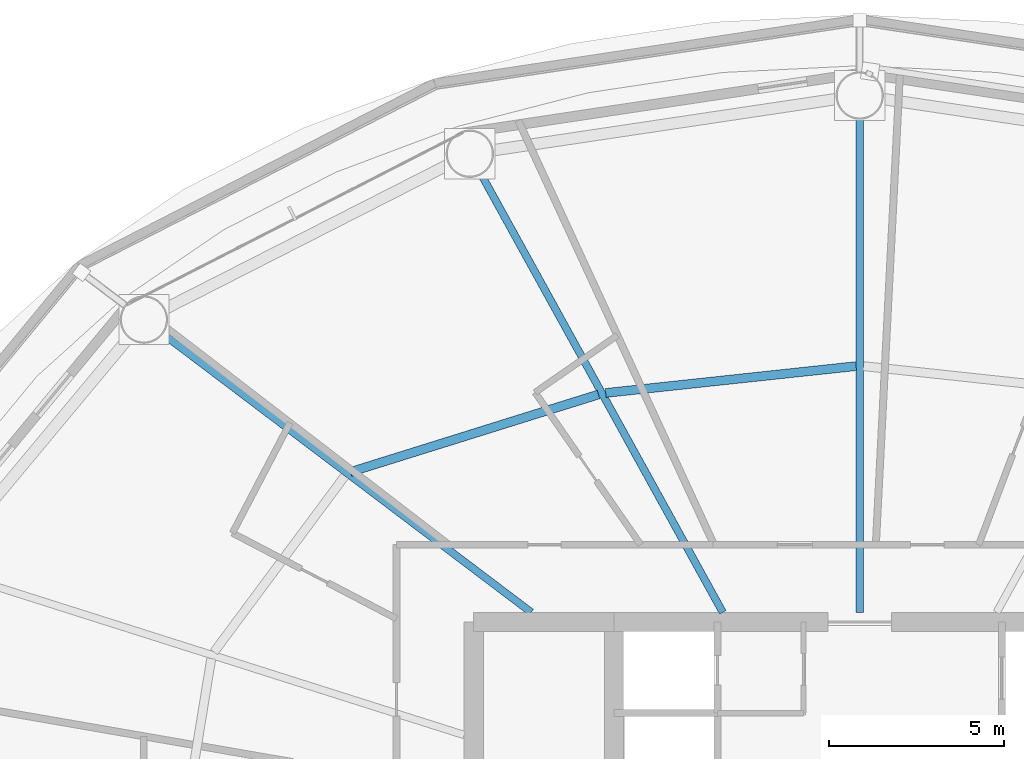
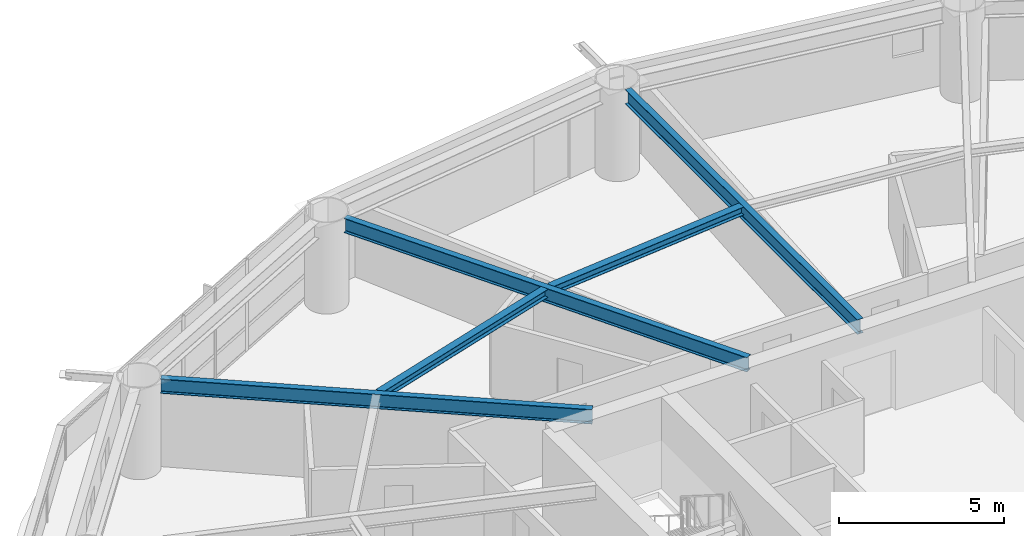
# One storey, part 9 of 25: 5 beams.
"""IFC4 building model written with IfcOpenShell, lengths in metres."""

from ifc_helpers import new_model, si_unit, direction, frame, origin, origin_2d, place, context, subcontext, project, spatial, i_section, extrude, material, material_profile, profile_set, type_object, element, save


model = new_model("IFC4")

# Units and contexts
model_context = context("Model", 3, precision=1e-05, world=origin(), true_north=direction((0.0, 1.0)))
body_context = subcontext(model_context, "Body", "Model", "MODEL_VIEW")
ifc_project = project(units=[si_unit("LENGTHUNIT", "METRE"), si_unit("AREAUNIT", "SQUARE_METRE"), si_unit("VOLUMEUNIT", "CUBIC_METRE"), si_unit("PLANEANGLEUNIT", "RADIAN"), si_unit("MASSUNIT", "GRAM", prefix="KILO")], contexts=[model_context])

# Site, building, storey
site_placement = place(None, origin())
site = spatial("IfcSite", under=ifc_project, at=site_placement, CompositionType="ELEMENT")
building_placement = place(site_placement, origin())
building = spatial("IfcBuilding", under=site, at=building_placement, Name="Sarneth Arch Tower", CompositionType="ELEMENT")
storey_placement = place(building_placement, frame((0.0, 0.0, 84.0)))
storey = spatial("IfcBuildingStorey", under=building, at=storey_placement, Name="L20", CompositionType="ELEMENT", Elevation=84.0)

# Beams
ifc_material_1 = material(Name="Steel S355", Category="steel")
ifc_material_profile_1 = material_profile(ifc_material_1, i_section(OverallWidth=0.25390625, OverallDepth=0.305908203125, WebThickness=0.0087890625, FlangeThickness=0.0146484375, FilletRadius=0.014892578125, at=origin_2d()), Name="W310x79")
ifc_profile_set_1 = profile_set([ifc_material_profile_1], Name="Steel S355")
beam_type_1 = type_object("IfcBeamType", Name="BM-JOIST-310A", PredefinedType="JOIST", material=ifc_profile_set_1)
beam_1_placement = place(storey_placement, frame((47.89501953125, 56.0888671875, 3.22705078125), z_axis=(-0.99429330851, -0.106680910441, 0.0), x_axis=(0.106680910441, -0.99429330851, 0.0)))
element("IfcBeam", 1, at=beam_1_placement, inside=storey, type_object=beam_type_1, Name="L20 Secondary floor joist 05", PredefinedType="JOIST", context=body_context, shape_type="SweptSolid", body=[
    extrude(i_section(OverallWidth=0.25390625, OverallDepth=0.305908203125, WebThickness=0.0087890625, FlangeThickness=0.0146484375, FilletRadius=0.014892578125, at=origin_2d()), origin(), (0.0, 0.0, 1.0), 7.174560546875),
])
beam_2_placement = place(storey_placement, frame((40.5556640625, 55.28076171875, 3.22705078125), z_axis=(-0.9544870201, -0.298252457594, 0.0), x_axis=(0.298252457594, -0.9544870201, 0.0)))
element("IfcBeam", 2, at=beam_2_placement, inside=storey, type_object=beam_type_1, Name="L20 Secondary floor joist 06", PredefinedType="JOIST", context=body_context, shape_type="SweptSolid", body=[
    extrude(i_section(OverallWidth=0.25390625, OverallDepth=0.305908203125, WebThickness=0.0087890625, FlangeThickness=0.0146484375, FilletRadius=0.014892578125, at=origin_2d()), origin(), (0.0, 0.0, 1.0), 7.40234375),
])
ifc_material_2 = material(Name="Steel S355", Category="steel")
ifc_material_profile_2 = material_profile(ifc_material_2, i_section(OverallWidth=0.2109375, OverallDepth=0.5390625, WebThickness=0.01171875, FlangeThickness=0.018798828125, FilletRadius=0.01806640625, at=origin_2d()), Name="W530x109")
ifc_profile_set_2 = profile_set([ifc_material_profile_2], Name="Steel S355")
beam_type_2 = type_object("IfcBeamType", Name="BM-RAD-530B", PredefinedType="BEAM", material=ifc_profile_set_2)
beam_3_placement = place(storey_placement, frame((48.0, 49.074951171875, 3.110595703125), z_axis=(0.0, 1.0, 0.0), x_axis=(-1.0, 0.0, 0.0)))
element("IfcBeam", 3, at=beam_3_placement, inside=storey, type_object=beam_type_2, Name="L20 Radial floor girder 05", PredefinedType="BEAM", context=body_context, shape_type="SweptSolid", body=[
    extrude(i_section(OverallWidth=0.2109375, OverallDepth=0.5390625, WebThickness=0.01171875, FlangeThickness=0.018798828125, FilletRadius=0.01806640625, at=origin_2d()), origin(), (0.0, 0.0, 1.0), 14.050048828125),
])
beam_4_placement = place(storey_placement, frame((44.09716796875, 49.074951171875, 3.110595703125), z_axis=(-0.48301301286, 0.875613173387, 0.0), x_axis=(-0.875613173387, -0.48301301286, 0.0)))
element("IfcBeam", 4, at=beam_4_placement, inside=storey, type_object=beam_type_2, Name="L20 Radial floor girder 06", PredefinedType="BEAM", context=body_context, shape_type="SweptSolid", body=[
    extrude(i_section(OverallWidth=0.2109375, OverallDepth=0.5390625, WebThickness=0.01171875, FlangeThickness=0.018798828125, FilletRadius=0.01806640625, at=origin_2d()), origin(), (0.0, 0.0, 1.0), 14.246826171875),
])
beam_5_placement = place(storey_placement, frame((38.63818359375, 49.074951171875, 3.110595703125), z_axis=(-0.797801476102, 0.602920230818, 0.0), x_axis=(-0.602920230818, -0.797801476102, 0.0)))
element("IfcBeam", 5, at=beam_5_placement, inside=storey, type_object=beam_type_2, Name="L20 Radial floor girder 07", PredefinedType="BEAM", context=body_context, shape_type="SweptSolid", body=[
    extrude(i_section(OverallWidth=0.2109375, OverallDepth=0.5390625, WebThickness=0.01171875, FlangeThickness=0.018798828125, FilletRadius=0.01806640625, at=origin_2d()), origin(), (0.0, 0.0, 1.0), 13.15771484375),
])

save(model, "model.ifc")
